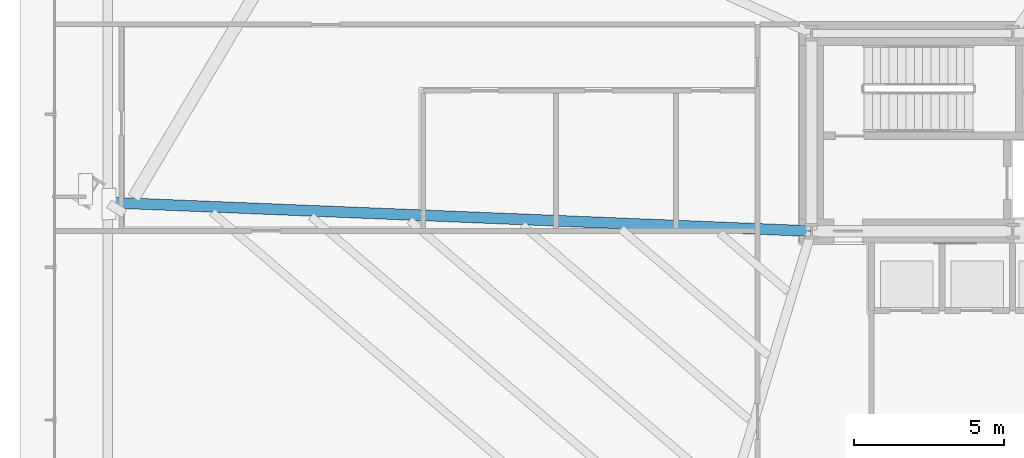
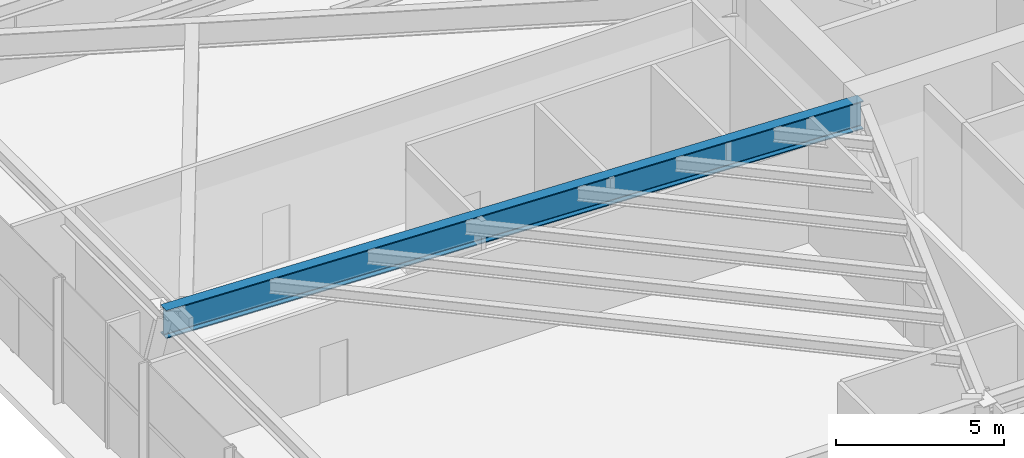
# One storey, part 9 of 31: 1 beam.
"""IFC4 building model written with IfcOpenShell, lengths in metres."""

from ifc_helpers import new_model, si_unit, direction, frame, origin, origin_2d, place, context, subcontext, project, spatial, i_section, extrude, source, transform, mapped, material, material_profile, profile_set, type_object, type_shapes, element, save


model = new_model("IFC4")

# Units and contexts
model_context = context("Model", 3, precision=1e-05, world=origin(), true_north=direction((0.0, 1.0)))
body_context = subcontext(model_context, "Body", "Model", "MODEL_VIEW")
ifc_project = project(units=[si_unit("LENGTHUNIT", "METRE"), si_unit("AREAUNIT", "SQUARE_METRE"), si_unit("VOLUMEUNIT", "CUBIC_METRE"), si_unit("PLANEANGLEUNIT", "RADIAN"), si_unit("MASSUNIT", "GRAM", prefix="KILO")], contexts=[model_context])

# Site, building, storey
site_placement = place(None, origin())
site = spatial("IfcSite", under=ifc_project, at=site_placement, CompositionType="ELEMENT")
building_placement = place(site_placement, origin())
building = spatial("IfcBuilding", under=site, at=building_placement, Name="Astriad Promenade Condominiums", CompositionType="ELEMENT")
storey_placement = place(building_placement, origin())
storey = spatial("IfcBuildingStorey", under=building, at=storey_placement, Name="L00", CompositionType="ELEMENT", Elevation=0.0)

# Beam
ifc_material = material(Name="Steel ASTM A992 Grade 50", Category="steel")
ifc_material_profile = material_profile(ifc_material, i_section(OverallWidth=0.361083984375, OverallDepth=1.025634765625, WebThickness=0.01904296875, FlangeThickness=0.0361328125, FilletRadius=0.025390625, at=origin_2d()), Name="W40X249")
ifc_profile_set = profile_set([ifc_material_profile], Name="Steel ASTM A992 Grade 50")
beam_type = type_object("IfcBeamType", Name="STEEL PODIUM GIRDER W40X249", PredefinedType="BEAM", material=ifc_profile_set)
shared_shape = source(origin(), body_context, "Body", "SweptSolid", [
    extrude(i_section(OverallWidth=0.361083984375, OverallDepth=1.025634765625, WebThickness=0.01904296875, FlangeThickness=0.0361328125, FilletRadius=0.025390625, at=origin_2d()), origin(), (0.0, 0.0, 1.0), 23.448974609375),
])
type_shapes(beam_type, [shared_shape])
beam_placement = place(storey_placement, frame((2.930419921875, 18.3544921875, 4.067138671875), z_axis=(0.999174007938, -0.040636213665, 0.0), x_axis=(0.040636213665, 0.999174007938, 0.0)))
element("IfcBeam", 1, at=beam_placement, inside=storey, type_object=beam_type, Name="Primary Floor Girder PG-WM-L00", PredefinedType="BEAM", context=body_context, shape_type="MappedRepresentation", body=[
    mapped(shared_shape, transform((0.0, 0.0, 0.0), scale=1.0)),
])

save(model, "model.ifc")
